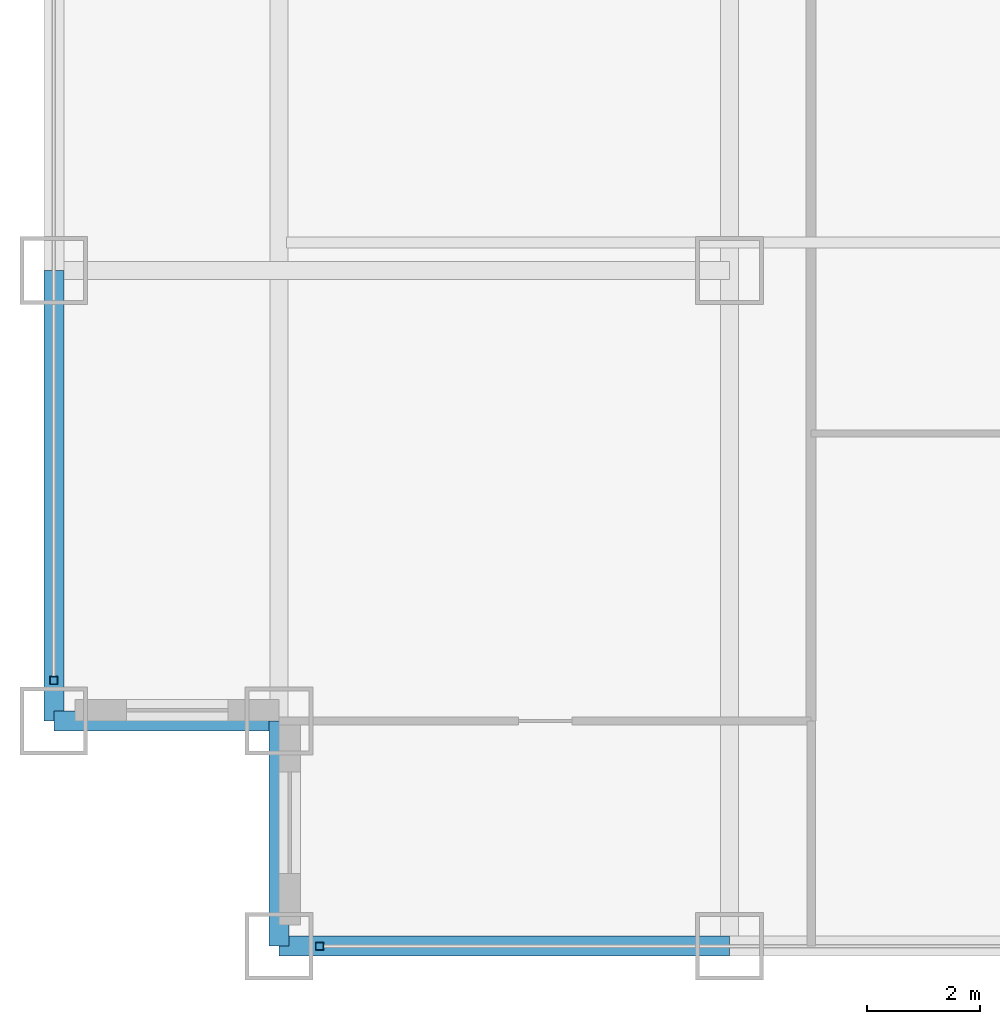
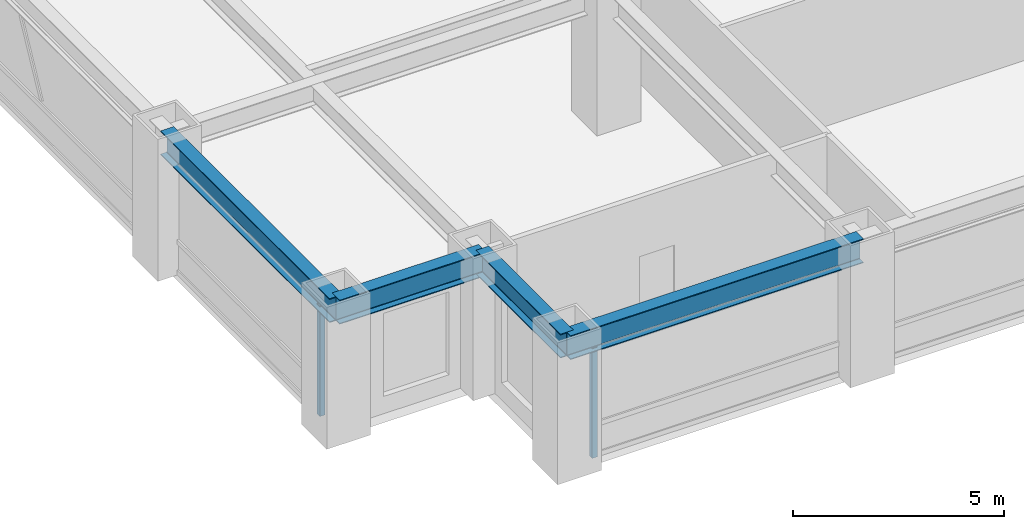
# One storey, part 2 of 28: 4 beams, 2 members, 2 elements without a shape of their own.
"""IFC4 building model written with IfcOpenShell, lengths in metres."""

from ifc_helpers import new_model, si_unit, direction, frame, origin, origin_2d, place, context, subcontext, project, spatial, hollow_rectangle, i_section, extrude, source, transform, mapped, material, material_profile, profile_set, type_object, element, aggregate, save


model = new_model("IFC4")

# Units and contexts
model_context = context("Model", 3, precision=1e-05, world=origin(), true_north=direction((0.0, 1.0)))
body_context = subcontext(model_context, "Body", "Model", "MODEL_VIEW")
ifc_project = project(units=[si_unit("LENGTHUNIT", "METRE"), si_unit("AREAUNIT", "SQUARE_METRE"), si_unit("VOLUMEUNIT", "CUBIC_METRE"), si_unit("PLANEANGLEUNIT", "RADIAN"), si_unit("MASSUNIT", "GRAM", prefix="KILO")], contexts=[model_context])

# Site, building, storey
site_placement = place(None, origin())
site = spatial("IfcSite", under=ifc_project, at=site_placement, CompositionType="ELEMENT")
building_placement = place(site_placement, origin())
building = spatial("IfcBuilding", under=site, at=building_placement, Name="Khorayat Bourse Tower", CompositionType="ELEMENT")
storey_placement = place(building_placement, frame((0.0, 0.0, 120.10009765625)))
storey = spatial("IfcBuildingStorey", under=building, at=storey_placement, Name="L27", CompositionType="ELEMENT", Elevation=120.10009765625)

# Beams
ifc_material_1 = material(Name="Steel ASTM A992 Grade 50", Category="steel")
ifc_material_profile_1 = material_profile(ifc_material_1, i_section(OverallWidth=0.35498046875, OverallDepth=0.695068359375, WebThickness=0.015380859375, FlangeThickness=0.02490234375, FilletRadius=0.01806640625, at=origin_2d()), Name="W690X217")
ifc_profile_set_1 = profile_set([ifc_material_profile_1], Name="Steel ASTM A992 Grade 50")
beam_type = type_object("IfcBeamType", Name="BM-SPAN-690", PredefinedType="SPANDREL", material=ifc_profile_set_1)
shared_shape_1 = source(origin(), body_context, "Body", "SweptSolid", [
    extrude(i_section(OverallWidth=0.35498046875, OverallDepth=0.695068359375, WebThickness=0.015380859375, FlangeThickness=0.02490234375, FilletRadius=0.01806640625, at=origin_2d()), origin(), (0.0, 0.0, 1.0), 8.0),
])
for number, where, z_axis, x_axis, name in (
    (1, (-28.0, -32.0, 3.492431640625), (1.0, 0.0, 0.0), (0.0, 1.0, 0.0), "L27 BM-SPAN-690 BM-L27-SPN-024"),
    (2, (-32.0, -28.0, 3.492431640625), (0.0, 1.0, 0.0), (-1.0, 0.0, 0.0), "L27 BM-SPAN-690 BM-L27-SPN-061"),
):
    element("IfcBeam", number, at=place(storey_placement, frame(where, z_axis=z_axis, x_axis=x_axis)), inside=storey, type_object=beam_type, Name=name, PredefinedType="SPANDREL", context=body_context, shape_type="MappedRepresentation", body=[
        mapped(shared_shape_1, transform((0.0, 0.0, 0.0), scale=1.0)),
    ])
shared_shape_2 = source(origin(), body_context, "Body", "SweptSolid", [
    extrude(i_section(OverallWidth=0.35498046875, OverallDepth=0.695068359375, WebThickness=0.015380859375, FlangeThickness=0.02490234375, FilletRadius=0.01806640625, at=origin_2d()), origin(), (0.0, 0.0, 1.0), 4.0),
])
for number, where, z_axis, x_axis, name in (
    (3, (-32.0, -28.0, 3.492431640625), (1.0, 0.0, 0.0), (0.0, 1.0, 0.0), "L27 BM-SPAN-690 BM-L27-SPN-062"),
    (4, (-28.0, -32.0, 3.492431640625), (0.0, 1.0, 0.0), (-1.0, 0.0, 0.0), "L27 BM-SPAN-690 BM-L27-SPN-063"),
):
    element("IfcBeam", number, at=place(storey_placement, frame(where, z_axis=z_axis, x_axis=x_axis)), inside=storey, type_object=beam_type, Name=name, PredefinedType="SPANDREL", context=body_context, shape_type="MappedRepresentation", body=[
        mapped(shared_shape_2, transform((0.0, 0.0, 0.0), scale=1.0)),
    ])

# Curtain wall, member
ifc_material_2 = material(Name="Aluminium EN AW-6063 T6", Category="aluminium")
curtain_wall_type = type_object("IfcCurtainWallType", Name="CW-SYS-02", PredefinedType="NOTDEFINED", material=ifc_material_2)
curtain_wall_1_placement = place(storey_placement, origin())
curtain_wall_1 = element("IfcCurtainWall", 5, at=curtain_wall_1_placement, inside=storey, type_object=curtain_wall_type, Name="L27 Curtain Wall CW-L27-S1", PredefinedType="NOTDEFINED")
ifc_material_profile_2 = material_profile(ifc_material_2, hollow_rectangle(XDim=0.139892578125, YDim=0.139892578125, WallThickness=0.006103515625, at=origin_2d()), Name="ALU 140x140x6")
ifc_profile_set_2 = profile_set([ifc_material_profile_2], Name="Aluminium EN AW-6063 T6")
member_type = type_object("IfcMemberType", Name="CWM-VERT-140", PredefinedType="MULLION", material=ifc_profile_set_2)
shared_shape_3 = source(origin(), body_context, "Body", "SweptSolid", [
    extrude(hollow_rectangle(XDim=0.139892578125, YDim=0.139892578125, WallThickness=0.006103515625, at=origin_2d()), origin(), (0.0, 0.0, 1.0), 3.18994140625),
])
member_1_placement = place(storey_placement, frame((-27.280029296875, -32.0, 0.0), z_axis=(0.0, 0.0, 1.0), x_axis=(0.0, 1.0, 0.0)))
member_1 = element("IfcMember", 6, at=member_1_placement, type_object=member_type, Name="CW-L27-S1 Vertical Mullion 1", PredefinedType="MULLION", context=body_context, shape_type="MappedRepresentation", body=[
    mapped(shared_shape_3, transform((0.0, 0.0, 0.0), scale=1.0)),
])
aggregate(curtain_wall_1, [member_1])

curtain_wall_2_placement = place(storey_placement, origin())
curtain_wall_2 = element("IfcCurtainWall", 7, at=curtain_wall_2_placement, inside=storey, type_object=curtain_wall_type, Name="L27 Curtain Wall CW-L27-W1", PredefinedType="NOTDEFINED")
member_2_placement = place(storey_placement, frame((-32.0, -27.280029296875, 0.0), z_axis=(0.0, 0.0, 1.0), x_axis=(-1.0, 0.0, 0.0)))
member_2 = element("IfcMember", 8, at=member_2_placement, type_object=member_type, Name="CW-L27-W1 Vertical Mullion 1", PredefinedType="MULLION", context=body_context, shape_type="MappedRepresentation", body=[
    mapped(shared_shape_3, transform((0.0, 0.0, 0.0), scale=1.0)),
])
aggregate(curtain_wall_2, [member_2])

save(model, "model.ifc")
